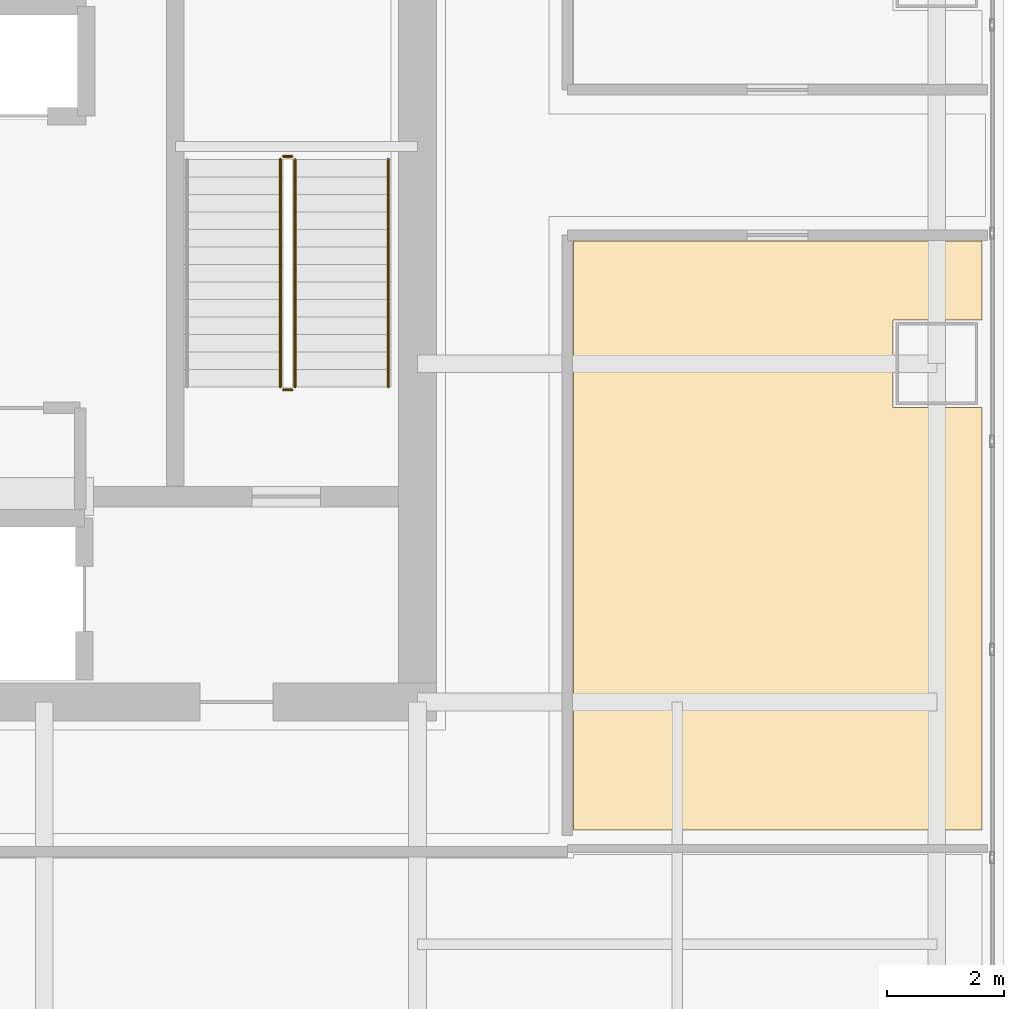
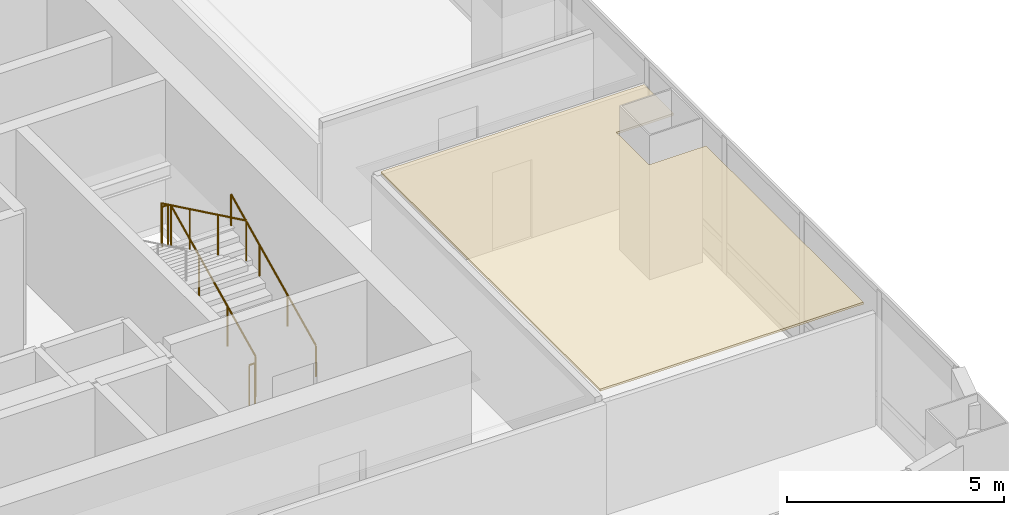
# One storey, part 36 of 38: 5 railings, 1 covering.
"""IFC4 building model written with IfcOpenShell, lengths in metres."""

from ifc_helpers import new_model, si_unit, direction, frame, origin, origin_2d, place, context, subcontext, project, spatial, polyline, circle, outline, extrude, material, layer, layer_set, type_object, element, save


model = new_model("IFC4")

# Units and contexts
model_context = context("Model", 3, precision=1e-05, world=origin(), true_north=direction((0.0, 1.0)))
body_context = subcontext(model_context, "Body", "Model", "MODEL_VIEW")
ifc_project = project(units=[si_unit("LENGTHUNIT", "METRE"), si_unit("AREAUNIT", "SQUARE_METRE"), si_unit("VOLUMEUNIT", "CUBIC_METRE"), si_unit("PLANEANGLEUNIT", "RADIAN"), si_unit("MASSUNIT", "GRAM", prefix="KILO")], contexts=[model_context])

# Site, building, storey
site_placement = place(None, origin())
site = spatial("IfcSite", under=ifc_project, at=site_placement, CompositionType="ELEMENT")
building_placement = place(site_placement, origin())
building = spatial("IfcBuilding", under=site, at=building_placement, Name="Punatoya Terracotta Tower", CompositionType="ELEMENT")
storey_placement = place(building_placement, frame((0.0, 0.0, 156.0)))
storey = spatial("IfcBuildingStorey", under=building, at=storey_placement, Name="L36", CompositionType="ELEMENT", Elevation=156.0)

# Covering
ifc_material_1 = material(Name="Acoustic Mineral Fibre Ceiling")
ifc_layer = layer(ifc_material_1, 0.06005859375)
ifc_layer_set = layer_set([ifc_layer], Name="Acoustic Mineral Fibre Ceiling")
covering_type = type_object("IfcCoveringType", Name="COV-CEIL-60", PredefinedType="CEILING", material=ifc_layer_set)
covering_placement = place(storey_placement, frame((0.0, 0.0, 3.219970703125)))
element("IfcCovering", 1, at=covering_placement, inside=storey, type_object=covering_type, Name="L36 Open-Plan Analytical Practice Office Acoustic Ceiling", PredefinedType="CEILING", context=body_context, shape_type="SweptSolid", body=[
    extrude(outline(polyline([(12.8701171875, -1.300048828125), (12.8701171875, -11.389892578125), (19.8701171875, -11.389892578125), (19.8701171875, -4.14990234375), (18.35009765625, -4.14990234375), (18.35009765625, -2.64990234375), (19.8701171875, -2.64990234375), (19.8701171875, -1.300048828125), (12.8701171875, -1.300048828125)])), origin(), (0.0, 0.0, 1.0), 0.06005859375),
])

# Railings
ifc_material_2 = material(Name="Steel S355", Category="steel")
railing_type_1 = type_object("IfcRailingType", Name="RLG-GRD-1150", PredefinedType="GUARDRAIL", material=ifc_material_2)
railing_1_placement = place(storey_placement, frame((8.10009765625, -3.800048828125, 0.14453125)))
element("IfcRailing", 2, at=railing_1_placement, inside=storey, type_object=railing_type_1, Name="L36 ST-2 stair guard 1", PredefinedType="GUARDRAIL", context=body_context, shape_type="SweptSolid", body=[
    extrude(circle(Radius=0.02392578125, at=origin_2d()), frame((0.0, 0.0, 1.1259765625), z_axis=(0.0, 0.900773802044, 0.434288564841), x_axis=(-1.0, 0.0, 0.0)), (0.0, 0.0, 1.0), 4.329833984375),
    extrude(circle(Radius=0.02099609375, at=origin_2d()), origin(), (0.0, 0.0, 1.0), 1.101806640625),
    extrude(circle(Radius=0.02099609375, at=origin_2d()), frame((0.0, 1.300048828125, 0.626708984375)), (0.0, 0.0, 1.0), 1.101806640625),
    extrude(circle(Radius=0.02099609375, at=origin_2d()), frame((0.0, 2.60009765625, 1.253662109375)), (0.0, 0.0, 1.0), 1.101806640625),
    extrude(circle(Radius=0.02099609375, at=origin_2d()), frame((0.0, 3.900146484375, 1.88037109375)), (0.0, 0.0, 1.0), 1.101806640625),
])
railing_2_placement = place(storey_placement, frame((8.050048828125, 0.14990234375, 2.02490234375)))
element("IfcRailing", 3, at=railing_2_placement, inside=storey, type_object=railing_type_1, Name="L36 ST-2 stair guard 2", PredefinedType="GUARDRAIL", context=body_context, shape_type="SweptSolid", body=[
    extrude(circle(Radius=0.02392578125, at=origin_2d()), frame((0.0, 0.0, 1.1259765625), z_axis=(-1.0, 0.0, 0.0), x_axis=(0.0, -1.0, 0.0)), (0.0, 0.0, 1.0), 0.150146484375),
    extrude(circle(Radius=0.02099609375, at=origin_2d()), origin(), (0.0, 0.0, 1.0), 1.101806640625),
    extrude(circle(Radius=0.02099609375, at=origin_2d()), frame((-0.150146484375, 0.0, 0.0)), (0.0, 0.0, 1.0), 1.101806640625),
])
railing_3_placement = place(storey_placement, frame((7.85009765625, 0.10009765625, 2.169677734375)))
element("IfcRailing", 4, at=railing_3_placement, inside=storey, type_object=railing_type_1, Name="L36 ST-2 stair guard 3", PredefinedType="GUARDRAIL", context=body_context, shape_type="SweptSolid", body=[
    extrude(circle(Radius=0.02392578125, at=origin_2d()), frame((0.0, 0.0, 1.1259765625), z_axis=(0.0, -0.900773802044, 0.434288564841), x_axis=(1.0, 0.0, 0.0)), (0.0, 0.0, 1.0), 4.329833984375),
    extrude(circle(Radius=0.02099609375, at=origin_2d()), origin(), (0.0, 0.0, 1.0), 1.101806640625),
    extrude(circle(Radius=0.02099609375, at=origin_2d()), frame((0.0, -1.300048828125, 0.626708984375)), (0.0, 0.0, 1.0), 1.101806640625),
    extrude(circle(Radius=0.02099609375, at=origin_2d()), frame((0.0, -2.60009765625, 1.253662109375)), (0.0, 0.0, 1.0), 1.101806640625),
    extrude(circle(Radius=0.02099609375, at=origin_2d()), frame((0.0, -3.900146484375, 1.88037109375)), (0.0, 0.0, 1.0), 1.101806640625),
])
railing_4_placement = place(storey_placement, frame((8.050048828125, -3.85009765625, 0.0)))
element("IfcRailing", 5, at=railing_4_placement, inside=storey, type_object=railing_type_1, Name="L36 ST-2 stair guard 4", PredefinedType="GUARDRAIL", context=body_context, shape_type="SweptSolid", body=[
    extrude(circle(Radius=0.02392578125, at=origin_2d()), frame((0.0, 0.0, 1.1259765625), z_axis=(-1.0, 0.0, 0.0), x_axis=(0.0, -1.0, 0.0)), (0.0, 0.0, 1.0), 0.150146484375),
    extrude(circle(Radius=0.02099609375, at=origin_2d()), origin(), (0.0, 0.0, 1.0), 1.101806640625),
    extrude(circle(Radius=0.02099609375, at=origin_2d()), frame((-0.150146484375, 0.0, 0.0)), (0.0, 0.0, 1.0), 1.101806640625),
])
railing_type_2 = type_object("IfcRailingType", Name="RLG-HND-900", PredefinedType="HANDRAIL", material=ifc_material_2)
railing_5_placement = place(storey_placement, frame((9.699951171875, -3.800048828125, 0.14453125)))
element("IfcRailing", 6, at=railing_5_placement, inside=storey, type_object=railing_type_2, Name="L36 ST-2 stair handrail 1", PredefinedType="HANDRAIL", context=body_context, shape_type="SweptSolid", body=[
    extrude(circle(Radius=0.02392578125, at=origin_2d()), frame((0.0, 0.0, 0.8759765625), z_axis=(0.0, 0.900773802044, 0.434288564841), x_axis=(-1.0, 0.0, 0.0)), (0.0, 0.0, 1.0), 4.329833984375),
    extrude(circle(Radius=0.02099609375, at=origin_2d()), origin(), (0.0, 0.0, 1.0), 0.851806640625),
    extrude(circle(Radius=0.02099609375, at=origin_2d()), frame((0.0, 1.300048828125, 0.626708984375)), (0.0, 0.0, 1.0), 0.851806640625),
    extrude(circle(Radius=0.02099609375, at=origin_2d()), frame((0.0, 2.60009765625, 1.253662109375)), (0.0, 0.0, 1.0), 0.851806640625),
    extrude(circle(Radius=0.02099609375, at=origin_2d()), frame((0.0, 3.900146484375, 1.88037109375)), (0.0, 0.0, 1.0), 0.851806640625),
])

save(model, "model.ifc")
